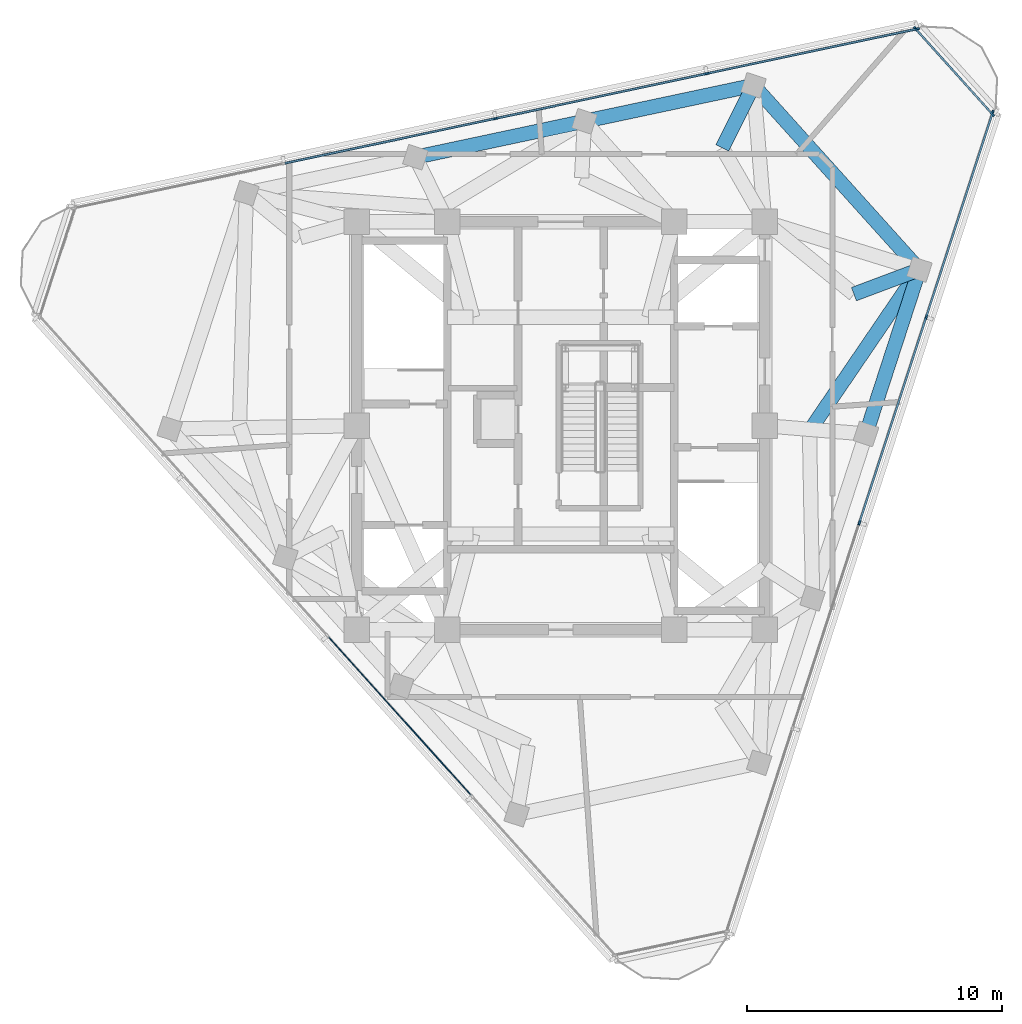
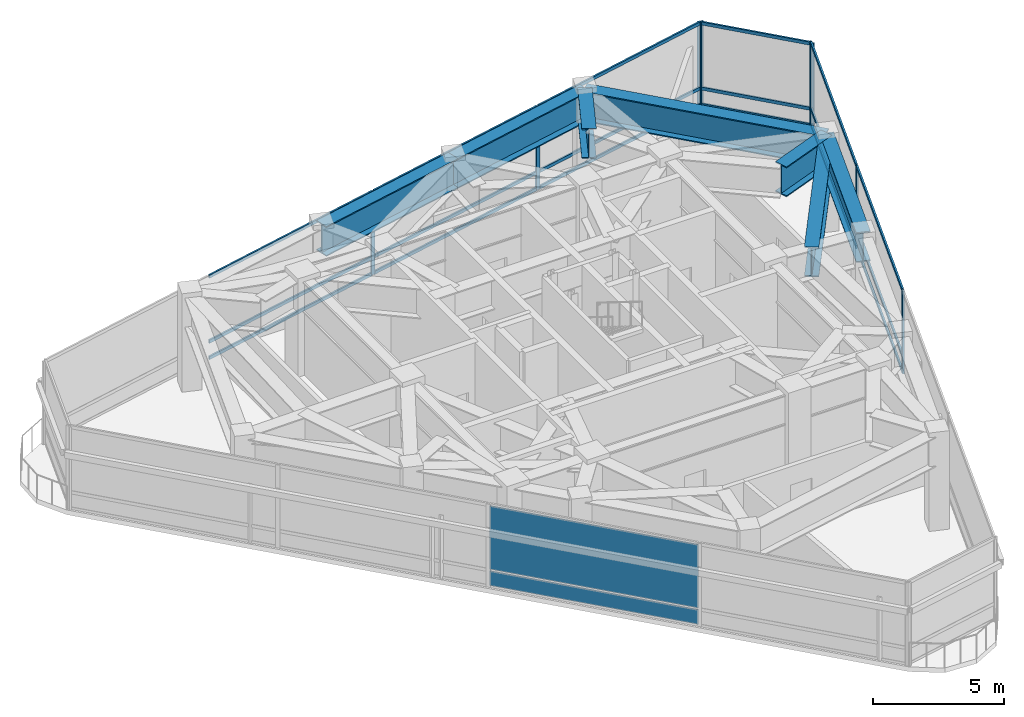
# One storey, part 5 of 11: 26 members, 7 beams, 2 plates, 4 elements without a shape of their own.
"""IFC4 building model written with IfcOpenShell, lengths in metres."""

from ifc_helpers import new_model, si_unit, direction, frame, origin, origin_2d, place, context, subcontext, project, spatial, rectangle, i_section, extrude, material, layer, layer_set, material_profile, profile_set, type_object, element, aggregate, save


model = new_model("IFC4")

# Units and contexts
model_context = context("Model", 3, precision=1e-05, world=origin(), true_north=direction((0.0, 1.0)))
body_context = subcontext(model_context, "Body", "Model", "MODEL_VIEW")
ifc_project = project(units=[si_unit("LENGTHUNIT", "METRE"), si_unit("AREAUNIT", "SQUARE_METRE"), si_unit("VOLUMEUNIT", "CUBIC_METRE"), si_unit("PLANEANGLEUNIT", "RADIAN"), si_unit("MASSUNIT", "GRAM", prefix="KILO")], contexts=[model_context])

# Site, building, storey
site_placement = place(None, origin())
site = spatial("IfcSite", under=ifc_project, at=site_placement, CompositionType="ELEMENT")
building_placement = place(site_placement, origin())
building = spatial("IfcBuilding", under=site, at=building_placement, Name="Terralouvre Media Tower", CompositionType="ELEMENT")
storey_placement = place(building_placement, frame((0.0, 0.0, 322.0)))
storey = spatial("IfcBuildingStorey", under=building, at=storey_placement, Name="L83", CompositionType="ELEMENT", Elevation=322.0)

# Curtain wall, members
ifc_material_1 = material(Name="Low-iron laminated double glazing with solar-control coating", Category="glass")
ifc_layer_1 = layer(ifc_material_1, 0.1650390625, Name="Faceted Glass-Point Crown Curtain Wall CW-06")
ifc_layer_set_1 = layer_set([ifc_layer_1], Name="Low-iron laminated double glazing with solar-control coating")
curtain_wall_type_1 = type_object("IfcCurtainWallType", Name="Faceted Glass-Point Crown Curtain Wall CW-06", PredefinedType="NOTDEFINED", material=ifc_layer_set_1)
curtain_wall_1_placement = place(storey_placement, origin())
curtain_wall_1 = element("IfcCurtainWall", 1, at=curtain_wall_1_placement, inside=storey, type_object=curtain_wall_type_1, Name="L83 Facade Curtain Wall F0", PredefinedType="NOTDEFINED")
ifc_material_2 = material(Name="Anodised extruded aluminium 6063-T6", Category="aluminium")
ifc_material_profile_1 = material_profile(ifc_material_2, rectangle(XDim=0.074951171875, YDim=0.14990234375, at=origin_2d()), Name="ALU 75x150")
ifc_profile_set_1 = profile_set([ifc_material_profile_1], Name="Anodised extruded aluminium 6063-T6")
member_type_1 = type_object("IfcMemberType", Name="Curtain-Wall Horizontal Transom TR-150", PredefinedType="USERDEFINED", material=ifc_profile_set_1)
member_1_placement = place(storey_placement, frame((11.724853515625, -3.770263671875, 0.03759765625), z_axis=(0.309007866443, 0.951059482092, 0.0), x_axis=(-0.951059482092, 0.309007866443, 0.0)))
member_1 = element("IfcMember", 2, at=member_1_placement, type_object=member_type_1, Name="CW-06 transom 3.1", ObjectType="TRANSOM", PredefinedType="USERDEFINED", context=body_context, shape_type="SweptSolid", body=[
    extrude(rectangle(XDim=0.074951171875, YDim=0.14990234375, at=origin_2d()), origin(), (0.0, 0.0, 1.0), 8.400146484375),
])
member_2_placement = place(storey_placement, frame((11.724853515625, -3.770263671875, 0.800048828125), z_axis=(0.309007866443, 0.951059482092, 0.0), x_axis=(-0.951059482092, 0.309007866443, 0.0)))
member_2 = element("IfcMember", 3, at=member_2_placement, type_object=member_type_1, Name="CW-06 transom 3.2", ObjectType="TRANSOM", PredefinedType="USERDEFINED", context=body_context, shape_type="SweptSolid", body=[
    extrude(rectangle(XDim=0.074951171875, YDim=0.14990234375, at=origin_2d()), origin(), (0.0, 0.0, 1.0), 8.400146484375),
])
member_3_placement = place(storey_placement, frame((11.724853515625, -3.770263671875, 3.842529296875), z_axis=(0.309007866443, 0.951059482092, 0.0), x_axis=(-0.951059482092, 0.309007866443, 0.0)))
member_3 = element("IfcMember", 4, at=member_3_placement, type_object=member_type_1, Name="CW-06 transom 3.3", ObjectType="TRANSOM", PredefinedType="USERDEFINED", context=body_context, shape_type="SweptSolid", body=[
    extrude(rectangle(XDim=0.074951171875, YDim=0.14990234375, at=origin_2d()), origin(), (0.0, 0.0, 1.0), 8.400146484375),
])
member_4_placement = place(storey_placement, frame((14.34375, 4.2900390625, 0.03759765625), z_axis=(0.309027979033, 0.951052947093, 0.0), x_axis=(-0.951052947093, 0.309027979033, 0.0)))
member_4 = element("IfcMember", 5, at=member_4_placement, type_object=member_type_1, Name="CW-06 transom 4.1", ObjectType="TRANSOM", PredefinedType="USERDEFINED", context=body_context, shape_type="SweptSolid", body=[
    extrude(rectangle(XDim=0.074951171875, YDim=0.14990234375, at=origin_2d()), origin(), (0.0, 0.0, 1.0), 8.362548828125),
])
member_5_placement = place(storey_placement, frame((14.34375, 4.2900390625, 0.800048828125), z_axis=(0.309027979033, 0.951052947093, 0.0), x_axis=(-0.951052947093, 0.309027979033, 0.0)))
member_5 = element("IfcMember", 6, at=member_5_placement, type_object=member_type_1, Name="CW-06 transom 4.2", ObjectType="TRANSOM", PredefinedType="USERDEFINED", context=body_context, shape_type="SweptSolid", body=[
    extrude(rectangle(XDim=0.074951171875, YDim=0.14990234375, at=origin_2d()), origin(), (0.0, 0.0, 1.0), 8.362548828125),
])
member_6_placement = place(storey_placement, frame((14.34375, 4.2900390625, 3.842529296875), z_axis=(0.309027979033, 0.951052947093, 0.0), x_axis=(-0.951052947093, 0.309027979033, 0.0)))
member_6 = element("IfcMember", 7, at=member_6_placement, type_object=member_type_1, Name="CW-06 transom 4.3", ObjectType="TRANSOM", PredefinedType="USERDEFINED", context=body_context, shape_type="SweptSolid", body=[
    extrude(rectangle(XDim=0.074951171875, YDim=0.14990234375, at=origin_2d()), origin(), (0.0, 0.0, 1.0), 8.362548828125),
])

curtain_wall_2_placement = place(storey_placement, origin())
curtain_wall_2 = element("IfcCurtainWall", 8, at=curtain_wall_2_placement, inside=storey, type_object=curtain_wall_type_1, Name="L83 Facade Curtain Wall F1", PredefinedType="NOTDEFINED")
member_7_placement = place(storey_placement, frame((13.945556640625, 15.555419921875, 0.03759765625), z_axis=(-0.978150539873, -0.207897862776, 0.0), x_axis=(0.207897862776, -0.978150539873, 0.0)))
member_7 = element("IfcMember", 9, at=member_7_placement, type_object=member_type_1, Name="CW-06 transom 1.1", ObjectType="TRANSOM", PredefinedType="USERDEFINED", context=body_context, shape_type="SweptSolid", body=[
    extrude(rectangle(XDim=0.074951171875, YDim=0.14990234375, at=origin_2d()), origin(), (0.0, 0.0, 1.0), 8.3623046875),
])
member_8_placement = place(storey_placement, frame((13.945556640625, 15.555419921875, 0.800048828125), z_axis=(-0.978150539873, -0.207897862776, 0.0), x_axis=(0.207897862776, -0.978150539873, 0.0)))
member_8 = element("IfcMember", 10, at=member_8_placement, type_object=member_type_1, Name="CW-06 transom 1.2", ObjectType="TRANSOM", PredefinedType="USERDEFINED", context=body_context, shape_type="SweptSolid", body=[
    extrude(rectangle(XDim=0.074951171875, YDim=0.14990234375, at=origin_2d()), origin(), (0.0, 0.0, 1.0), 8.3623046875),
])
member_9_placement = place(storey_placement, frame((13.945556640625, 15.555419921875, 3.842529296875), z_axis=(-0.978150539873, -0.207897862776, 0.0), x_axis=(0.207897862776, -0.978150539873, 0.0)))
member_9 = element("IfcMember", 11, at=member_9_placement, type_object=member_type_1, Name="CW-06 transom 1.3", ObjectType="TRANSOM", PredefinedType="USERDEFINED", context=body_context, shape_type="SweptSolid", body=[
    extrude(rectangle(XDim=0.074951171875, YDim=0.14990234375, at=origin_2d()), origin(), (0.0, 0.0, 1.0), 8.3623046875),
])
member_10_placement = place(storey_placement, frame((5.6923828125, 13.80126953125, 0.03759765625), z_axis=(-0.978143927149, -0.207928972925, 0.0), x_axis=(0.207928972925, -0.978143927149, 0.0)))
member_10 = element("IfcMember", 12, at=member_10_placement, type_object=member_type_1, Name="CW-06 transom 2.1", ObjectType="TRANSOM", PredefinedType="USERDEFINED", context=body_context, shape_type="SweptSolid", body=[
    extrude(rectangle(XDim=0.074951171875, YDim=0.14990234375, at=origin_2d()), origin(), (0.0, 0.0, 1.0), 8.39990234375),
])
member_11_placement = place(storey_placement, frame((5.6923828125, 13.80126953125, 0.800048828125), z_axis=(-0.978143927149, -0.207928972925, 0.0), x_axis=(0.207928972925, -0.978143927149, 0.0)))
member_11 = element("IfcMember", 13, at=member_11_placement, type_object=member_type_1, Name="CW-06 transom 2.2", ObjectType="TRANSOM", PredefinedType="USERDEFINED", context=body_context, shape_type="SweptSolid", body=[
    extrude(rectangle(XDim=0.074951171875, YDim=0.14990234375, at=origin_2d()), origin(), (0.0, 0.0, 1.0), 8.39990234375),
])
member_12_placement = place(storey_placement, frame((5.6923828125, 13.80126953125, 3.842529296875), z_axis=(-0.978143927149, -0.207928972925, 0.0), x_axis=(0.207928972925, -0.978143927149, 0.0)))
member_12 = element("IfcMember", 14, at=member_12_placement, type_object=member_type_1, Name="CW-06 transom 2.3", ObjectType="TRANSOM", PredefinedType="USERDEFINED", context=body_context, shape_type="SweptSolid", body=[
    extrude(rectangle(XDim=0.074951171875, YDim=0.14990234375, at=origin_2d()), origin(), (0.0, 0.0, 1.0), 8.39990234375),
])
member_13_placement = place(storey_placement, frame((-2.597412109375, 12.0390625, 0.03759765625), z_axis=(-0.978149838101, -0.207901164555, 0.0), x_axis=(0.207901164555, -0.978149838101, 0.0)))
member_13 = element("IfcMember", 15, at=member_13_placement, type_object=member_type_1, Name="CW-06 transom 3.1", ObjectType="TRANSOM", PredefinedType="USERDEFINED", context=body_context, shape_type="SweptSolid", body=[
    extrude(rectangle(XDim=0.074951171875, YDim=0.14990234375, at=origin_2d()), origin(), (0.0, 0.0, 1.0), 8.39990234375),
])
member_14_placement = place(storey_placement, frame((-2.597412109375, 12.0390625, 0.800048828125), z_axis=(-0.978149838101, -0.207901164555, 0.0), x_axis=(0.207901164555, -0.978149838101, 0.0)))
member_14 = element("IfcMember", 16, at=member_14_placement, type_object=member_type_1, Name="CW-06 transom 3.2", ObjectType="TRANSOM", PredefinedType="USERDEFINED", context=body_context, shape_type="SweptSolid", body=[
    extrude(rectangle(XDim=0.074951171875, YDim=0.14990234375, at=origin_2d()), origin(), (0.0, 0.0, 1.0), 8.39990234375),
])
member_15_placement = place(storey_placement, frame((-2.597412109375, 12.0390625, 3.842529296875), z_axis=(-0.978149838101, -0.207901164555, 0.0), x_axis=(0.207901164555, -0.978149838101, 0.0)))
member_15 = element("IfcMember", 17, at=member_15_placement, type_object=member_type_1, Name="CW-06 transom 3.3", ObjectType="TRANSOM", PredefinedType="USERDEFINED", context=body_context, shape_type="SweptSolid", body=[
    extrude(rectangle(XDim=0.074951171875, YDim=0.14990234375, at=origin_2d()), origin(), (0.0, 0.0, 1.0), 8.39990234375),
])

ifc_material_3 = material(Name="Low-iron laminated double glazing with solar-control coating", Category="glass")
ifc_layer_2 = layer(ifc_material_3, 0.1650390625, Name="Rounded Wind-Corner Curved Glazing CW-04")
ifc_layer_set_2 = layer_set([ifc_layer_2], Name="Low-iron laminated double glazing with solar-control coating")
curtain_wall_type_2 = type_object("IfcCurtainWallType", Name="Rounded Wind-Corner Curved Glazing CW-04", PredefinedType="NOTDEFINED", material=ifc_layer_set_2)
curtain_wall_3_placement = place(storey_placement, origin())
curtain_wall_3 = element("IfcCurtainWall", 18, at=curtain_wall_3_placement, inside=storey, type_object=curtain_wall_type_2, Name="L83 Rounded Wind-Corner Curtain Wall C1", PredefinedType="NOTDEFINED")
member_16_placement = place(storey_placement, frame((16.9111328125, 12.239501953125, 0.03759765625), z_axis=(-0.669131801041, 0.743143749779, 0.0), x_axis=(-0.743143749779, -0.669131801041, 0.0)))
member_16 = element("IfcMember", 19, at=member_16_placement, type_object=member_type_1, Name="CW-04 transom 1.1", ObjectType="TRANSOM", PredefinedType="USERDEFINED", context=body_context, shape_type="SweptSolid", body=[
    extrude(rectangle(XDim=0.074951171875, YDim=0.14990234375, at=origin_2d()), origin(), (0.0, 0.0, 1.0), 4.43994140625),
])
member_17_placement = place(storey_placement, frame((16.9111328125, 12.239501953125, 0.800048828125), z_axis=(-0.669131801041, 0.743143749779, 0.0), x_axis=(-0.743143749779, -0.669131801041, 0.0)))
member_17 = element("IfcMember", 20, at=member_17_placement, type_object=member_type_1, Name="CW-04 transom 1.2", ObjectType="TRANSOM", PredefinedType="USERDEFINED", context=body_context, shape_type="SweptSolid", body=[
    extrude(rectangle(XDim=0.074951171875, YDim=0.14990234375, at=origin_2d()), origin(), (0.0, 0.0, 1.0), 4.43994140625),
])
member_18_placement = place(storey_placement, frame((16.9111328125, 12.239501953125, 3.842529296875), z_axis=(-0.669131801041, 0.743143749779, 0.0), x_axis=(-0.743143749779, -0.669131801041, 0.0)))
member_18 = element("IfcMember", 21, at=member_18_placement, type_object=member_type_1, Name="CW-04 transom 1.3", ObjectType="TRANSOM", PredefinedType="USERDEFINED", context=body_context, shape_type="SweptSolid", body=[
    extrude(rectangle(XDim=0.074951171875, YDim=0.14990234375, at=origin_2d()), origin(), (0.0, 0.0, 1.0), 4.43994140625),
])

# Member
ifc_material_4 = material(Name="Anodised extruded aluminium 6063-T6", Category="aluminium")
ifc_material_profile_2 = material_profile(ifc_material_4, rectangle(XDim=0.074951171875, YDim=0.179931640625, at=origin_2d()), Name="ALU 75x180")
ifc_profile_set_2 = profile_set([ifc_material_profile_2], Name="Anodised extruded aluminium 6063-T6")
member_type_2 = type_object("IfcMemberType", Name="Curtain-Wall Vertical Mullion ML-180", PredefinedType="MULLION", material=ifc_profile_set_2)
member_19_placement = place(storey_placement, frame((11.71337890625, -3.805908203125, 0.0), z_axis=(0.0, 0.0, 1.0), x_axis=(-0.9510565808, 0.30901679585, 0.0)))
member_19 = element("IfcMember", 22, at=member_19_placement, type_object=member_type_2, Name="CW-06 mullion 3", PredefinedType="MULLION", context=body_context, shape_type="SweptSolid", body=[
    extrude(rectangle(XDim=0.074951171875, YDim=0.179931640625, at=origin_2d()), origin(), (0.0, 0.0, 1.0), 3.8798828125),
])

member_20_placement = place(storey_placement, frame((14.332275390625, 4.25439453125, 0.0), z_axis=(0.0, 0.0, 1.0), x_axis=(-0.9510565808, 0.30901679585, 0.0)))
member_20 = element("IfcMember", 23, at=member_20_placement, type_object=member_type_2, Name="CW-06 mullion 4", PredefinedType="MULLION", context=body_context, shape_type="SweptSolid", body=[
    extrude(rectangle(XDim=0.074951171875, YDim=0.179931640625, at=origin_2d()), origin(), (0.0, 0.0, 1.0), 3.8798828125),
])

member_21_placement = place(storey_placement, frame((16.939453125, 12.27880859375, 0.0), z_axis=(0.0, 0.0, 1.0), x_axis=(-0.9510565808, 0.30901679585, 0.0)))
member_21 = element("IfcMember", 24, at=member_21_placement, type_object=member_type_2, Name="CW-06 mullion 5", PredefinedType="MULLION", context=body_context, shape_type="SweptSolid", body=[
    extrude(rectangle(XDim=0.074951171875, YDim=0.179931640625, at=origin_2d()), origin(), (0.0, 0.0, 1.0), 3.8798828125),
])

aggregate(curtain_wall_1, [member_19, member_20, member_21, member_1, member_2, member_3, member_4, member_5, member_6])

member_22_placement = place(storey_placement, frame((13.982177734375, 15.563232421875, 0.0), z_axis=(0.0, 0.0, 1.0), x_axis=(0.207911534473, -0.978147633966, 0.0)))
member_22 = element("IfcMember", 25, at=member_22_placement, type_object=member_type_2, Name="CW-06 mullion 1", PredefinedType="MULLION", context=body_context, shape_type="SweptSolid", body=[
    extrude(rectangle(XDim=0.074951171875, YDim=0.179931640625, at=origin_2d()), origin(), (0.0, 0.0, 1.0), 3.8798828125),
])

member_23_placement = place(storey_placement, frame((5.729248046875, 13.80908203125, 0.0), z_axis=(0.0, 0.0, 1.0), x_axis=(0.207911534473, -0.978147633966, 0.0)))
member_23 = element("IfcMember", 26, at=member_23_placement, type_object=member_type_2, Name="CW-06 mullion 2", PredefinedType="MULLION", context=body_context, shape_type="SweptSolid", body=[
    extrude(rectangle(XDim=0.074951171875, YDim=0.179931640625, at=origin_2d()), origin(), (0.0, 0.0, 1.0), 3.8798828125),
])

member_24_placement = place(storey_placement, frame((-2.560546875, 12.046875, 0.0), z_axis=(0.0, 0.0, 1.0), x_axis=(0.207911534473, -0.978147633966, 0.0)))
member_24 = element("IfcMember", 27, at=member_24_placement, type_object=member_type_2, Name="CW-06 mullion 3", PredefinedType="MULLION", context=body_context, shape_type="SweptSolid", body=[
    extrude(rectangle(XDim=0.074951171875, YDim=0.179931640625, at=origin_2d()), origin(), (0.0, 0.0, 1.0), 3.8798828125),
])

aggregate(curtain_wall_2, [member_22, member_23, member_24, member_7, member_8, member_9, member_10, member_11, member_12, member_13, member_14, member_15])

member_25_placement = place(storey_placement, frame((16.93603515625, 12.211669921875, 0.0), z_axis=(0.0, 0.0, 1.0), x_axis=(-0.743143762368, -0.66913178706, 0.0)))
member_25 = element("IfcMember", 28, at=member_25_placement, type_object=member_type_2, Name="CW-04 mullion 1", PredefinedType="MULLION", context=body_context, shape_type="SweptSolid", body=[
    extrude(rectangle(XDim=0.074951171875, YDim=0.179931640625, at=origin_2d()), origin(), (0.0, 0.0, 1.0), 3.8798828125),
])

member_26_placement = place(storey_placement, frame((13.9150390625, 15.56689453125, 0.0), z_axis=(0.0, 0.0, 1.0), x_axis=(-0.743143762368, -0.66913178706, 0.0)))
member_26 = element("IfcMember", 29, at=member_26_placement, type_object=member_type_2, Name="CW-04 mullion 2", PredefinedType="MULLION", context=body_context, shape_type="SweptSolid", body=[
    extrude(rectangle(XDim=0.074951171875, YDim=0.179931640625, at=origin_2d()), origin(), (0.0, 0.0, 1.0), 3.8798828125),
])

aggregate(curtain_wall_3, [member_25, member_26, member_16, member_17, member_18])

# Beams
ifc_material_5 = material(Name="Structural steel S460M", Category="steel")
ifc_material_profile_3 = material_profile(ifc_material_5, i_section(OverallWidth=0.56005859375, OverallDepth=1.39990234375, WebThickness=0.031982421875, FlangeThickness=0.050048828125, at=origin_2d()), Name="TG 1400x560")
ifc_profile_set_3 = profile_set([ifc_material_profile_3], Name="Structural steel S460M")
beam_type = type_object("IfcBeamType", Name="Welded Transfer Girder TG-1400 (TG 1400x560)", PredefinedType="USERDEFINED", material=ifc_profile_set_3)
beam_1_placement = place(storey_placement, frame((11.971435546875, -0.3251953125, 3.679931640625), z_axis=(0.309034774937, 0.951050738857, 0.0), x_axis=(-0.951050738857, 0.309034774937, 0.0)))
element("IfcBeam", 30, at=beam_1_placement, inside=storey, type_object=beam_type, Name="L83 Framing Beam BM-L83-PR07", ObjectType="TRANSFER GIRDER", PredefinedType="USERDEFINED", context=body_context, shape_type="SweptSolid", body=[
    extrude(i_section(OverallWidth=0.56005859375, OverallDepth=1.39990234375, WebThickness=0.031982421875, FlangeThickness=0.050048828125, at=origin_2d()), origin(), (0.0, 0.0, 1.0), 6.77978515625),
])
beam_2_placement = place(storey_placement, frame((14.066650390625, 6.122802734375, 3.679931640625), z_axis=(-0.669132545828, 0.743143079167, 0.0), x_axis=(-0.743143079167, -0.669132545828, 0.0)))
element("IfcBeam", 31, at=beam_2_placement, inside=storey, type_object=beam_type, Name="L83 Framing Beam BM-L83-PR08", ObjectType="TRANSFER GIRDER", PredefinedType="USERDEFINED", context=body_context, shape_type="SweptSolid", body=[
    extrude(i_section(OverallWidth=0.56005859375, OverallDepth=1.39990234375, WebThickness=0.031982421875, FlangeThickness=0.050048828125, at=origin_2d()), origin(), (0.0, 0.0, 1.0), 9.724609375),
])
for number, where, z_axis, x_axis, name in (
    (32, (7.5595703125, 13.349609375, 3.679931640625), (-0.978146769126, -0.207915603186, 0.0), (0.207915603186, -0.978146769126, 0.0), "L83 Framing Beam BM-L83-PR09"),
    (33, (0.927734375, 11.93994140625, 3.679931640625), (-0.978146769126, -0.207915603186, 0.0), (0.207915603186, -0.978146769126, 0.0), "L83 Framing Beam BM-L83-PR10"),
):
    element("IfcBeam", number, at=place(storey_placement, frame(where, z_axis=z_axis, x_axis=x_axis)), inside=storey, type_object=beam_type, Name=name, ObjectType="TRANSFER GIRDER", PredefinedType="USERDEFINED", context=body_context, shape_type="SweptSolid", body=[
        extrude(i_section(OverallWidth=0.56005859375, OverallDepth=1.39990234375, WebThickness=0.031982421875, FlangeThickness=0.050048828125, at=origin_2d()), origin(), (0.0, 0.0, 1.0), 6.780029296875),
    ])
beam_3_placement = place(storey_placement, frame((9.7548828125, -0.204345703125, 3.679931640625), z_axis=(0.563140904754, 0.826360890527, 0.0), x_axis=(-0.826360890527, 0.563140904754, 0.0)))
element("IfcBeam", 34, at=beam_3_placement, inside=storey, type_object=beam_type, Name="L83 Framing Beam BM-L83-TR07S2", ObjectType="TRANSFER GIRDER", PredefinedType="USERDEFINED", context=body_context, shape_type="SweptSolid", body=[
    extrude(i_section(OverallWidth=0.56005859375, OverallDepth=1.39990234375, WebThickness=0.031982421875, FlangeThickness=0.050048828125, at=origin_2d()), origin(), (0.0, 0.0, 1.0), 7.65673828125),
])
for number, where, z_axis, x_axis, name in (
    (35, (11.497802734375, 5.159423828125, 3.679931640625), (0.936321863361, 0.351142945526, 0.0), (-0.351142945526, 0.936321863361, 0.0), "L83 Framing Beam BM-L83-TR08S1"),
    (36, (6.3330078125, 10.8955078125, 3.679931640625), (0.447071210467, 0.894498369351, 0.0), (-0.894498369351, 0.447071210467, 0.0), "L83 Framing Beam BM-L83-TR09S1"),
):
    element("IfcBeam", number, at=place(storey_placement, frame(where, z_axis=z_axis, x_axis=x_axis)), inside=storey, type_object=beam_type, Name=name, ObjectType="TRANSFER GIRDER", PredefinedType="USERDEFINED", context=body_context, shape_type="SweptSolid", body=[
        extrude(i_section(OverallWidth=0.56005859375, OverallDepth=1.39990234375, WebThickness=0.031982421875, FlangeThickness=0.050048828125, at=origin_2d()), origin(), (0.0, 0.0, 1.0), 2.74365234375),
    ])

# Curtain wall, plates
curtain_wall_4_placement = place(storey_placement, origin())
curtain_wall_4 = element("IfcCurtainWall", 37, at=curtain_wall_4_placement, inside=storey, type_object=curtain_wall_type_1, Name="L83 Facade Curtain Wall F2", PredefinedType="NOTDEFINED")
ifc_material_6 = material(Name="Low-iron laminated double glazing with solar-control coating", Category="glass")
ifc_layer_3 = layer(ifc_material_6, 0.035888671875, Name="Vision Double-Glazed Unit CWP-01")
ifc_layer_set_3 = layer_set([ifc_layer_3], Name="Low-iron laminated double glazing with solar-control coating")
plate_type = type_object("IfcPlateType", Name="Vision Double-Glazed Unit CWP-01", PredefinedType="CURTAIN_PANEL", material=ifc_layer_set_3)
plate_1_placement = place(storey_placement, frame((-6.317138671875, -11.39013671875, 0.074951171875), z_axis=(0.0, 0.0, 1.0), x_axis=(0.669130640069, -0.743144795125, 0.0)))
plate_1 = element("IfcPlate", 38, at=plate_1_placement, type_object=plate_type, Name="CW-06 panel 3.1", PredefinedType="CURTAIN_PANEL", context=body_context, shape_type="SweptSolid", body=[
    extrude(rectangle(XDim=8.39990234375, YDim=0.035888671875, at=origin_2d()), origin(), (0.0, 0.0, 1.0), 0.6875),
])
plate_2_placement = place(storey_placement, frame((-6.317138671875, -11.39013671875, 0.83740234375), z_axis=(0.0, 0.0, 1.0), x_axis=(0.669130640069, -0.743144795125, 0.0)))
plate_2 = element("IfcPlate", 39, at=plate_2_placement, type_object=plate_type, Name="CW-06 panel 3.2", PredefinedType="CURTAIN_PANEL", context=body_context, shape_type="SweptSolid", body=[
    extrude(rectangle(XDim=8.39990234375, YDim=0.035888671875, at=origin_2d()), origin(), (0.0, 0.0, 1.0), 2.967529296875),
])
aggregate(curtain_wall_4, [plate_1, plate_2])

save(model, "model.ifc")
